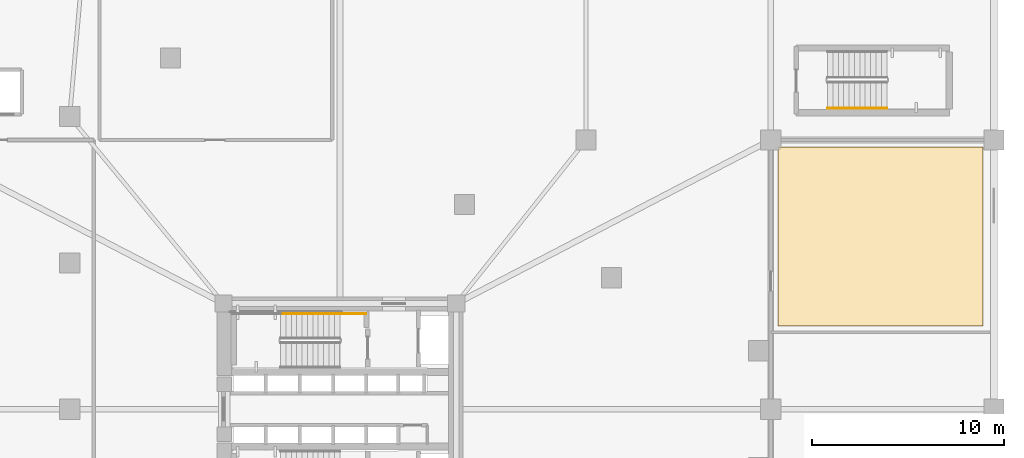
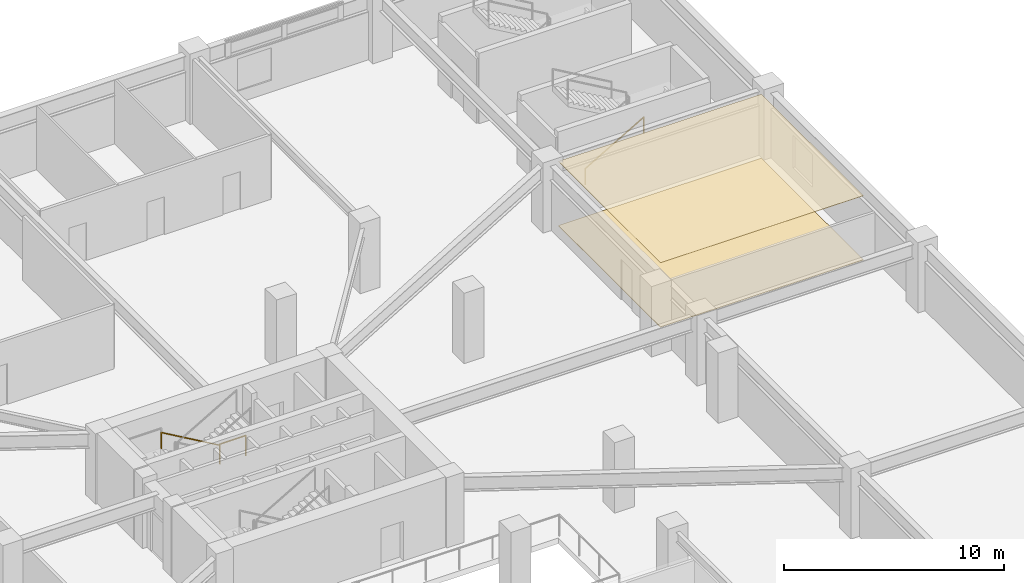
# One storey, part 14 of 15: 3 railings, 2 coverings.
"""IFC4 building model written with IfcOpenShell, lengths in metres."""

from ifc_helpers import new_model, si_unit, direction, frame, origin, origin_2d, place, context, subcontext, project, spatial, polyline, rectangle, outline, extrude, material, layer, layer_set, type_object, element, save


model = new_model("IFC4")

# Units and contexts
model_context = context("Model", 3, precision=1e-05, world=origin(), true_north=direction((0.0, 1.0)))
body_context = subcontext(model_context, "Body", "Model", "MODEL_VIEW")
ifc_project = project(units=[si_unit("LENGTHUNIT", "METRE"), si_unit("AREAUNIT", "SQUARE_METRE"), si_unit("VOLUMEUNIT", "CUBIC_METRE"), si_unit("PLANEANGLEUNIT", "RADIAN"), si_unit("MASSUNIT", "GRAM", prefix="KILO")], contexts=[model_context])

# Site, building, storey
site_placement = place(None, origin())
site = spatial("IfcSite", under=ifc_project, at=site_placement, CompositionType="ELEMENT")
building_placement = place(site_placement, origin())
building = spatial("IfcBuilding", under=site, at=building_placement, Name="Yunling Apex Tower", CompositionType="ELEMENT")
storey_placement = place(building_placement, frame((0.0, 0.0, 12.300048828125)))
storey = spatial("IfcBuildingStorey", under=building, at=storey_placement, Name="L04", CompositionType="ELEMENT", Elevation=12.300048828125)

# Coverings
ifc_material_1 = material(Name="Acoustic mineral fibre ceiling")
ifc_layer_1 = layer(ifc_material_1, 0.02490234375)
ifc_layer_set_1 = layer_set([ifc_layer_1], Name="Acoustic mineral fibre ceiling")
covering_type_1 = type_object("IfcCoveringType", Name="CV-CLG-1", PredefinedType="CEILING", material=ifc_layer_set_1)
covering_1_placement = place(storey_placement, frame((0.0, 0.0, 3.56494140625)))
element("IfcCovering", 1, at=covering_1_placement, inside=storey, type_object=covering_type_1, Name="CV-CL-SP-L04-E2", PredefinedType="CEILING", context=body_context, shape_type="SweptSolid", body=[
    extrude(outline(polyline([(33.429931640625, 4.340087890625), (22.77001953125, 4.340087890625), (22.77001953125, 13.6298828125), (33.429931640625, 13.6298828125), (33.429931640625, 4.340087890625)])), origin(), (0.0, 0.0, 1.0), 0.02490234375),
])
ifc_material_2 = material(Name="Polished granite stone", Category="masonry")
ifc_layer_2 = layer(ifc_material_2, 0.030029296875)
ifc_layer_set_2 = layer_set([ifc_layer_2], Name="Polished granite stone")
covering_type_2 = type_object("IfcCoveringType", Name="CV-FLR-1", PredefinedType="FLOORING", material=ifc_layer_set_2)
covering_2_placement = place(storey_placement, origin())
element("IfcCovering", 2, at=covering_2_placement, inside=storey, type_object=covering_type_2, Name="CV-FL-SP-L04-E2", PredefinedType="FLOORING", context=body_context, shape_type="SweptSolid", body=[
    extrude(outline(polyline([(33.429931640625, 4.340087890625), (22.77001953125, 4.340087890625), (22.77001953125, 13.6298828125), (33.429931640625, 13.6298828125), (33.429931640625, 4.340087890625)])), origin(), (0.0, 0.0, 1.0), 0.030029296875),
])

# Railings
ifc_material_3 = material(Name="Steel Q355B", Category="steel")
railing_type_1 = type_object("IfcRailingType", Name="RL-GRD-1150", PredefinedType="GUARDRAIL", material=ifc_material_3)
railing_1_placement = place(storey_placement, frame((1.35009765625, 4.9599609375, 0.0)))
element("IfcRailing", 3, at=railing_1_placement, inside=storey, type_object=railing_type_1, Name="L04 ST-1 stair guard 6", PredefinedType="GUARDRAIL", context=body_context, shape_type="SweptSolid", body=[
    extrude(rectangle(XDim=0.0439453125, YDim=0.0439453125, at=origin_2d()), origin(), (0.0, 0.0, 1.0), 1.14990234375),
    extrude(rectangle(XDim=0.0439453125, YDim=0.0439453125, at=origin_2d()), frame((-1.360107421875, 0.0, 0.0)), (0.0, 0.0, 1.0), 1.14990234375),
    extrude(rectangle(XDim=0.050048828125, YDim=0.050048828125, at=origin_2d()), frame((-0.038330078125, 0.0, 1.125), z_axis=(-1.0, 0.0, 0.0), x_axis=(0.0, -1.0, 0.0)), (0.0, 0.0, 1.0), 1.283447265625),
])
ifc_material_4 = material(Name="Silver anodised aluminium", Category="aluminium")
railing_type_2 = type_object("IfcRailingType", Name="RL-HND-900", PredefinedType="HANDRAIL", material=ifc_material_4)
railing_2_placement = place(storey_placement, frame((-0.010009765625, 4.9599609375, 0.162353515625)))
element("IfcRailing", 4, at=railing_2_placement, inside=storey, type_object=railing_type_2, Name="L04 ST-1 stair handrail 1", PredefinedType="HANDRAIL", context=body_context, shape_type="SweptSolid", body=[
    extrude(rectangle(XDim=0.0439453125, YDim=0.0439453125, at=origin_2d()), origin(), (0.0, 0.0, 1.0), 0.919921875),
    extrude(rectangle(XDim=0.0439453125, YDim=0.0439453125, at=origin_2d()), frame((-3.080078125, 0.0, 1.78759765625)), (0.0, 0.0, 1.0), 0.919921875),
    extrude(rectangle(XDim=0.050048828125, YDim=0.050048828125, at=origin_2d()), frame((-0.033203125, 0.0, 0.9140625), z_axis=(-0.864890721111, 0.0, 0.501960198159), x_axis=(0.0, -1.0, 0.0)), (0.0, 0.0, 1.0), 3.484619140625),
])
railing_3_placement = place(storey_placement, frame((25.35009765625, 15.64990234375, 0.162353515625)))
element("IfcRailing", 5, at=railing_3_placement, inside=storey, type_object=railing_type_2, Name="L04 ST-P2 stair handrail 1", PredefinedType="HANDRAIL", context=body_context, shape_type="SweptSolid", body=[
    extrude(rectangle(XDim=0.0439453125, YDim=0.0439453125, at=origin_2d()), origin(), (0.0, 0.0, 1.0), 0.919921875),
    extrude(rectangle(XDim=0.0439453125, YDim=0.0439453125, at=origin_2d()), frame((3.079833984375, 0.0, 1.78759765625)), (0.0, 0.0, 1.0), 0.919921875),
    extrude(rectangle(XDim=0.050048828125, YDim=0.050048828125, at=origin_2d()), frame((0.033203125, 0.0, 0.9140625), z_axis=(0.864873446163, 0.0, 0.501989962173), x_axis=(0.0, 1.0, 0.0)), (0.0, 0.0, 1.0), 3.484375),
])

save(model, "model.ifc")
